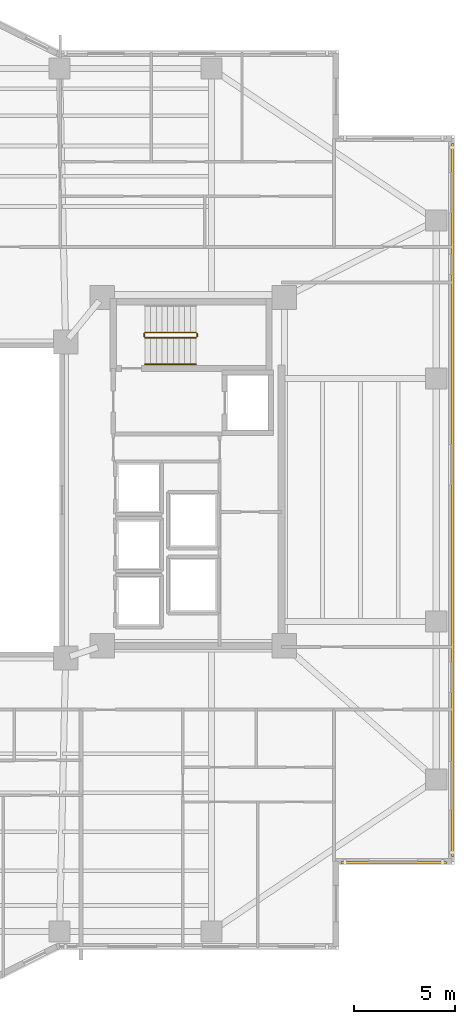
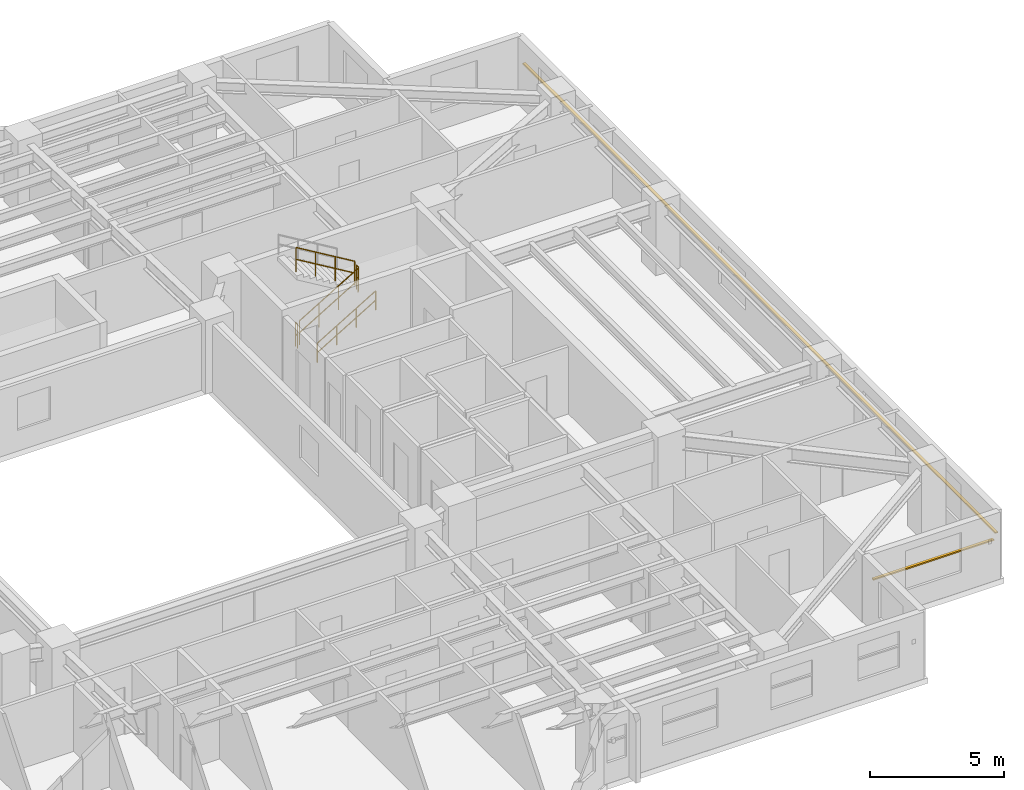
# One storey, part 16 of 18: 5 railings, 2 shading devices.
"""IFC4 building model written with IfcOpenShell, lengths in metres."""

from ifc_helpers import new_model, si_unit, direction, frame, origin, origin_2d, place, context, subcontext, project, spatial, rectangle, circle, extrude, material, material_profile, profile_set, type_object, element, save


model = new_model("IFC4")

# Units and contexts
model_context = context("Model", 3, precision=1e-05, world=origin(), true_north=direction((0.0, 1.0)))
body_context = subcontext(model_context, "Body", "Model", "MODEL_VIEW")
ifc_project = project(units=[si_unit("LENGTHUNIT", "METRE"), si_unit("AREAUNIT", "SQUARE_METRE"), si_unit("VOLUMEUNIT", "CUBIC_METRE"), si_unit("PLANEANGLEUNIT", "RADIAN"), si_unit("MASSUNIT", "GRAM", prefix="KILO")], contexts=[model_context])

# Site, building, storey
site_placement = place(None, origin())
site = spatial("IfcSite", under=ifc_project, at=site_placement, CompositionType="ELEMENT")
building_placement = place(site_placement, origin())
building = spatial("IfcBuilding", under=site, at=building_placement, Name="Tarnavaz Court Tower", CompositionType="ELEMENT")
storey_placement = place(building_placement, frame((0.0, 0.0, 115.14990234375)))
storey = spatial("IfcBuildingStorey", under=building, at=storey_placement, Name="L31", CompositionType="ELEMENT", Elevation=115.14990234375)

# Railings
ifc_material_1 = material(Name="Brushed Stainless Steel", Category="steel")
railing_type_1 = type_object("IfcRailingType", Name="RL-HANDRAIL-900", PredefinedType="HANDRAIL", material=ifc_material_1)
railing_1_placement = place(storey_placement, frame((11.719970703125, 6.699951171875, 0.16748046875)))
element("IfcRailing", 1, at=railing_1_placement, inside=storey, type_object=railing_type_1, Name="L31 ST-E1 stair handrail 1", PredefinedType="HANDRAIL", context=body_context, shape_type="SweptSolid", body=[
    extrude(circle(Radius=0.02392578125, at=origin_2d()), frame((0.0, 0.0, 0.8759765625), z_axis=(0.858159760407, 0.0, 0.513382728203), x_axis=(0.0, 1.0, 0.0)), (0.0, 0.0, 1.0), 2.9365234375),
    extrude(circle(Radius=0.02392578125, at=origin_2d()), frame((0.0, 0.0, 0.449951171875), z_axis=(0.858159760407, 0.0, 0.513382728203), x_axis=(0.0, 1.0, 0.0)), (0.0, 0.0, 1.0), 2.9365234375),
    extrude(circle(Radius=0.02099609375, at=origin_2d()), origin(), (0.0, 0.0, 1.0), 0.851806640625),
    extrude(circle(Radius=0.02099609375, at=origin_2d()), frame((0.840087890625, 0.0, 0.50244140625)), (0.0, 0.0, 1.0), 0.851806640625),
    extrude(circle(Radius=0.02099609375, at=origin_2d()), frame((1.679931640625, 0.0, 1.005126953125)), (0.0, 0.0, 1.0), 0.851806640625),
    extrude(circle(Radius=0.02099609375, at=origin_2d()), frame((2.52001953125, 0.0, 1.507568359375)), (0.0, 0.0, 1.0), 0.851806640625),
])
ifc_material_2 = material(Name="Galvanized Painted Tubular Steel", Category="steel")
railing_type_2 = type_object("IfcRailingType", Name="RL-STGUARD-1120", PredefinedType="GUARDRAIL", material=ifc_material_2)
railing_2_placement = place(storey_placement, frame((11.719970703125, 8.02001953125, 0.16748046875)))
element("IfcRailing", 2, at=railing_2_placement, inside=storey, type_object=railing_type_2, Name="L31 ST-E1 stair guard 1", PredefinedType="GUARDRAIL", context=body_context, shape_type="SweptSolid", body=[
    extrude(circle(Radius=0.02392578125, at=origin_2d()), frame((0.0, 0.0, 1.09619140625), z_axis=(0.858159760407, 0.0, 0.513382728203), x_axis=(0.0, 1.0, 0.0)), (0.0, 0.0, 1.0), 2.9365234375),
    extrude(circle(Radius=0.02392578125, at=origin_2d()), frame((0.0, 0.0, 0.56005859375), z_axis=(0.858159760407, 0.0, 0.513382728203), x_axis=(0.0, 1.0, 0.0)), (0.0, 0.0, 1.0), 2.9365234375),
    extrude(circle(Radius=0.02099609375, at=origin_2d()), origin(), (0.0, 0.0, 1.0), 1.072021484375),
    extrude(circle(Radius=0.02099609375, at=origin_2d()), frame((0.840087890625, 0.0, 0.50244140625)), (0.0, 0.0, 1.0), 1.072021484375),
    extrude(circle(Radius=0.02099609375, at=origin_2d()), frame((1.679931640625, 0.0, 1.005126953125)), (0.0, 0.0, 1.0), 1.072021484375),
    extrude(circle(Radius=0.02099609375, at=origin_2d()), frame((2.52001953125, 0.0, 1.507568359375)), (0.0, 0.0, 1.0), 1.072021484375),
])
railing_3_placement = place(storey_placement, frame((14.2900390625, 8.070068359375, 1.675048828125)))
element("IfcRailing", 3, at=railing_3_placement, inside=storey, type_object=railing_type_2, Name="L31 ST-E1 stair guard 2", PredefinedType="GUARDRAIL", context=body_context, shape_type="SweptSolid", body=[
    extrude(circle(Radius=0.02392578125, at=origin_2d()), frame((0.0, 0.0, 1.09619140625), z_axis=(0.0, 1.0, 0.0), x_axis=(-1.0, 0.0, 0.0)), (0.0, 0.0, 1.0), 0.14990234375),
    extrude(circle(Radius=0.02392578125, at=origin_2d()), frame((0.0, 0.0, 0.56005859375), z_axis=(0.0, 1.0, 0.0), x_axis=(-1.0, 0.0, 0.0)), (0.0, 0.0, 1.0), 0.14990234375),
    extrude(circle(Radius=0.02099609375, at=origin_2d()), origin(), (0.0, 0.0, 1.0), 1.072021484375),
    extrude(circle(Radius=0.02099609375, at=origin_2d()), frame((0.0, 0.14990234375, 0.0)), (0.0, 0.0, 1.0), 1.072021484375),
])
railing_4_placement = place(storey_placement, frame((14.239990234375, 8.27001953125, 1.842529296875)))
element("IfcRailing", 4, at=railing_4_placement, inside=storey, type_object=railing_type_2, Name="L31 ST-E1 stair guard 3", PredefinedType="GUARDRAIL", context=body_context, shape_type="SweptSolid", body=[
    extrude(circle(Radius=0.02392578125, at=origin_2d()), frame((0.0, 0.0, 1.09619140625), z_axis=(-0.858159760407, 0.0, 0.513382728203), x_axis=(0.0, -1.0, 0.0)), (0.0, 0.0, 1.0), 2.9365234375),
    extrude(circle(Radius=0.02392578125, at=origin_2d()), frame((0.0, 0.0, 0.56005859375), z_axis=(-0.858159760407, 0.0, 0.513382728203), x_axis=(0.0, -1.0, 0.0)), (0.0, 0.0, 1.0), 2.9365234375),
    extrude(circle(Radius=0.02099609375, at=origin_2d()), origin(), (0.0, 0.0, 1.0), 1.072021484375),
    extrude(circle(Radius=0.02099609375, at=origin_2d()), frame((-0.840087890625, 0.0, 0.50244140625)), (0.0, 0.0, 1.0), 1.072021484375),
    extrude(circle(Radius=0.02099609375, at=origin_2d()), frame((-1.679931640625, 0.0, 1.005126953125)), (0.0, 0.0, 1.0), 1.072021484375),
    extrude(circle(Radius=0.02099609375, at=origin_2d()), frame((-2.52001953125, 0.0, 1.507568359375)), (0.0, 0.0, 1.0), 1.072021484375),
])
railing_5_placement = place(storey_placement, frame((11.669921875, 8.070068359375, 0.0)))
element("IfcRailing", 5, at=railing_5_placement, inside=storey, type_object=railing_type_2, Name="L31 ST-E1 stair guard 4", PredefinedType="GUARDRAIL", context=body_context, shape_type="SweptSolid", body=[
    extrude(circle(Radius=0.02392578125, at=origin_2d()), frame((0.0, 0.0, 1.09619140625), z_axis=(0.0, 1.0, 0.0), x_axis=(-1.0, 0.0, 0.0)), (0.0, 0.0, 1.0), 0.14990234375),
    extrude(circle(Radius=0.02392578125, at=origin_2d()), frame((0.0, 0.0, 0.56005859375), z_axis=(0.0, 1.0, 0.0), x_axis=(-1.0, 0.0, 0.0)), (0.0, 0.0, 1.0), 0.14990234375),
    extrude(circle(Radius=0.02099609375, at=origin_2d()), origin(), (0.0, 0.0, 1.0), 1.072021484375),
    extrude(circle(Radius=0.02099609375, at=origin_2d()), frame((0.0, 0.14990234375, 0.0)), (0.0, 0.0, 1.0), 1.072021484375),
])

# Shading devices
ifc_material_3 = material(Name="Kiln-Fired Khorasan Terracotta Ceramic", Category="masonry")
ifc_material_profile = material_profile(ifc_material_3, rectangle(XDim=0.1201171875, YDim=0.06005859375, at=origin_2d()), Name="TC BAGUETTE 120X60")
ifc_profile_set = profile_set([ifc_material_profile], Name="Kiln-Fired Khorasan Terracotta Ceramic")
shading_device_type = type_object("IfcShadingDeviceType", Name="SD-BAG-120", PredefinedType="USERDEFINED", material=ifc_profile_set)
shading_device_1_placement = place(storey_placement, frame((26.909912109375, 17.60009765625, 1.85009765625), z_axis=(0.0, -1.0, 0.0), x_axis=(1.0, 0.0, 0.0)))
element("IfcShadingDevice", 6, at=shading_device_1_placement, inside=storey, type_object=shading_device_type, Name="L31 Terracotta Baguette Screen FBG12", ObjectType="BAGUETTE", PredefinedType="USERDEFINED", context=body_context, shape_type="SweptSolid", body=[
    extrude(rectangle(XDim=0.1201171875, YDim=0.06005859375, at=origin_2d()), origin(), (0.0, 0.0, 1.0), 35.2001953125),
])
shading_device_2_placement = place(storey_placement, frame((26.60009765625, -17.909912109375, 1.85009765625), z_axis=(-1.0, 0.0, 0.0), x_axis=(0.0, -1.0, 0.0)))
element("IfcShadingDevice", 7, at=shading_device_2_placement, inside=storey, type_object=shading_device_type, Name="L31 Terracotta Baguette Screen FBG13", ObjectType="BAGUETTE", PredefinedType="USERDEFINED", context=body_context, shape_type="SweptSolid", body=[
    extrude(rectangle(XDim=0.1201171875, YDim=0.06005859375, at=origin_2d()), origin(), (0.0, 0.0, 1.0), 5.2001953125),
])

save(model, "model.ifc")
